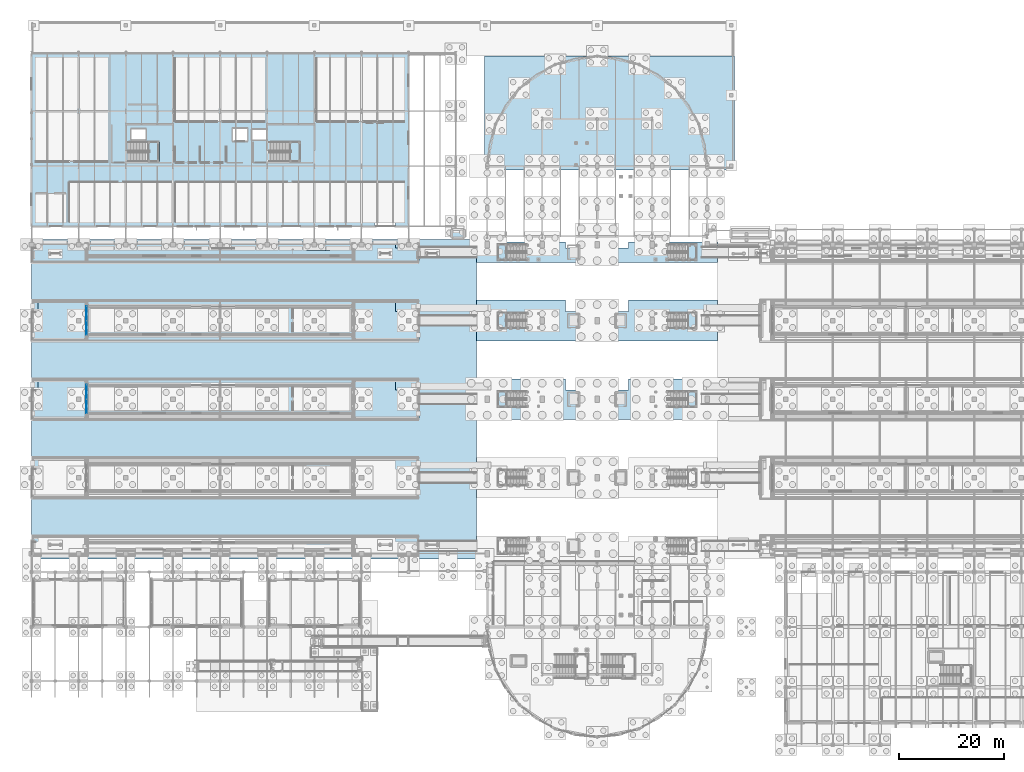
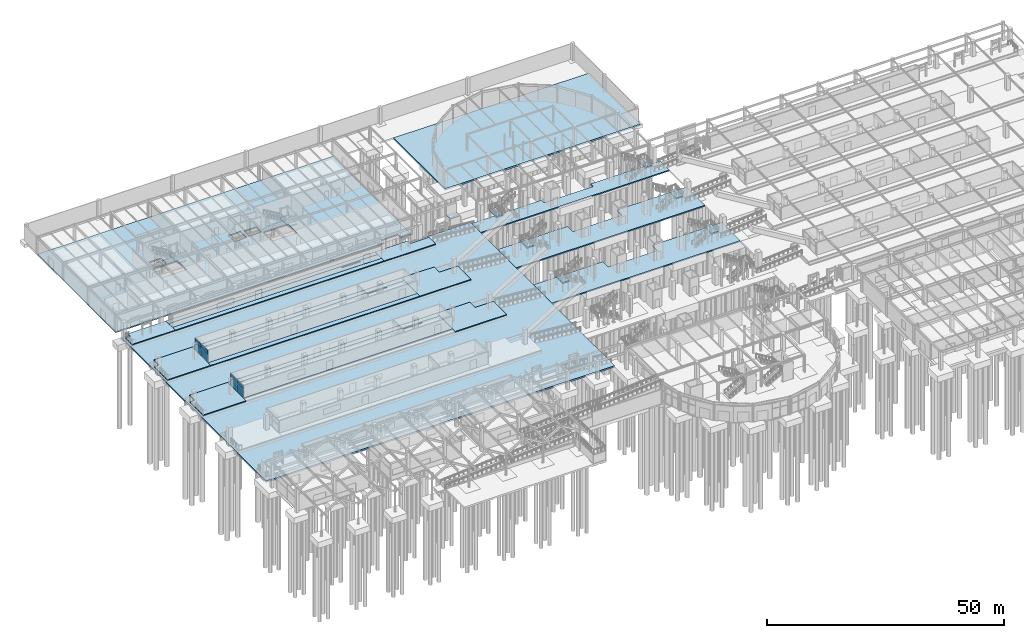
# One storey, part 93 of 160: 29 slabs, 8 plates, 10 elements without a shape of their own.
"""IFC4 building model written with IfcOpenShell, lengths in metres."""

from ifc_helpers import new_model, si_unit, direction, frame, origin, origin_2d, place, context, subcontext, project, spatial, polyline, rectangle, outline, extrude, material, layer, layer_set, type_object, element, aggregate, save


model = new_model("IFC4")

# Units and contexts
model_context = context("Model", 3, precision=1e-05, world=origin(), true_north=direction((0.0, 1.0)))
body_context = subcontext(model_context, "Body", "Model", "MODEL_VIEW")
ifc_project = project(units=[si_unit("LENGTHUNIT", "METRE"), si_unit("AREAUNIT", "SQUARE_METRE"), si_unit("VOLUMEUNIT", "CUBIC_METRE"), si_unit("PLANEANGLEUNIT", "RADIAN"), si_unit("MASSUNIT", "GRAM", prefix="KILO")], contexts=[model_context])

# Site, building, storey
site_placement = place(None, origin())
site = spatial("IfcSite", under=ifc_project, at=site_placement, CompositionType="ELEMENT")
building_placement = place(site_placement, origin())
building = spatial("IfcBuilding", under=site, at=building_placement, Name="Marlcrest Central Station", CompositionType="ELEMENT")
storey_placement = place(building_placement, origin())
storey = spatial("IfcBuildingStorey", under=building, at=storey_placement, Name="L00", CompositionType="ELEMENT", Elevation=0.0)

# Slabs
ifc_material_1 = material(Name="Concrete C35/45", Category="concrete")
ifc_layer_1 = layer(ifc_material_1, 0.39990234375, Name="BS-02")
ifc_layer_set_1 = layer_set([ifc_layer_1], Name="Concrete C35/45")
slab_type_1 = type_object("IfcSlabType", Name="BS-02", PredefinedType="BASESLAB", material=ifc_layer_set_1)
slab_1_placement = place(storey_placement, frame((0.0, 0.0, -0.39990234375)))
element("IfcSlab", 1, at=slab_1_placement, inside=storey, type_object=slab_type_1, Name="slab-L00-0021", PredefinedType="BASESLAB", context=body_context, shape_type="SweptSolid", body=[
    extrude(outline(polyline([(0.0, 35.5), (85.0, 35.5), (85.0, 96.5), (0.0, 96.5), (0.0, 35.5)])), origin(), (0.0, 0.0, 1.0), 0.39990234375),
])
slab_2_placement = place(storey_placement, frame((0.0, 0.0, -0.39990234375)))
element("IfcSlab", 2, at=slab_2_placement, inside=storey, type_object=slab_type_1, Name="slab-L00-0026", PredefinedType="BASESLAB", context=body_context, shape_type="SweptSolid", body=[
    extrude(outline(polyline([(134.199951171875, 109.800048828125), (86.5, 109.800048828125), (86.5, 131.5), (134.199951171875, 131.5), (134.199951171875, 109.800048828125)])), origin(), (0.0, 0.0, 1.0), 0.39990234375),
])
ifc_layer_2 = layer(ifc_material_1, 0.300048828125, Name="BS-03")
ifc_layer_set_2 = layer_set([ifc_layer_2], Name="Concrete C35/45")
slab_type_2 = type_object("IfcSlabType", Name="BS-03", PredefinedType="BASESLAB", material=ifc_layer_set_2)
slab_3_placement = place(storey_placement, frame((0.0, 0.0, -0.300048828125)))
element("IfcSlab", 3, at=slab_3_placement, inside=storey, type_object=slab_type_2, Name="slab-L00-0002", PredefinedType="BASESLAB", context=body_context, shape_type="SweptSolid", body=[
    extrude(outline(polyline([(0.0, 99.0), (65.5, 99.0), (65.5, 100.199951171875), (69.5, 100.199951171875), (69.5, 99.0), (72.0, 99.0), (72.0, 132.0), (0.0, 132.0), (0.0, 99.0)]), holes=[polyline([(18.449951171875, 111.39990234375), (24.39990234375, 111.39990234375), (24.39990234375, 115.10009765625), (18.449951171875, 115.10009765625), (18.449951171875, 111.39990234375)]), polyline([(18.919921875, 115.52001953125), (21.8798828125, 115.52001953125), (21.8798828125, 117.679931640625), (18.919921875, 117.679931640625), (18.919921875, 115.52001953125)]), polyline([(45.449951171875, 111.39990234375), (51.39990234375, 111.39990234375), (51.39990234375, 115.10009765625), (45.449951171875, 115.10009765625), (45.449951171875, 111.39990234375)]), polyline([(42.02001953125, 115.419921875), (44.97998046875, 115.419921875), (44.97998046875, 117.580078125), (42.02001953125, 117.580078125), (42.02001953125, 115.419921875)]), polyline([(38.320068359375, 115.219970703125), (41.280029296875, 115.219970703125), (41.280029296875, 117.780029296875), (38.320068359375, 117.780029296875), (38.320068359375, 115.219970703125)])]), origin(), (0.0, 0.0, 1.0), 0.300048828125),
])
slab_4_placement = place(storey_placement, frame((0.0, 0.0, -0.300048828125)))
element("IfcSlab", 4, at=slab_4_placement, inside=storey, type_object=slab_type_2, Name="slab-L00-0051", PredefinedType="BASESLAB", context=body_context, shape_type="SweptSolid", body=[
    extrude(outline(polyline([(85.0, 62.10009765625), (85.0, 69.89990234375), (102.0, 69.89990234375), (102.0, 67.716064453125), (114.0, 67.716064453125), (114.0, 69.89990234375), (131.0, 69.89990234375), (131.0, 62.10009765625), (85.0, 62.10009765625)])), origin(), (0.0, 0.0, 1.0), 0.300048828125),
])
slab_5_placement = place(storey_placement, frame((0.0, 0.0, -0.300048828125)))
element("IfcSlab", 5, at=slab_5_placement, inside=storey, type_object=slab_type_2, Name="slab-L00-0062", PredefinedType="BASESLAB", context=body_context, shape_type="SweptSolid", body=[
    extrude(outline(polyline([(85.0, 77.10009765625), (85.0, 84.89990234375), (102.0, 84.89990234375), (102.0, 82.716064453125), (114.0, 82.716064453125), (114.0, 84.89990234375), (131.0, 84.89990234375), (131.0, 77.10009765625), (85.0, 77.10009765625)])), origin(), (0.0, 0.0, 1.0), 0.300048828125),
])
slab_6_placement = place(storey_placement, frame((0.0, 0.0, -0.300048828125)))
element("IfcSlab", 6, at=slab_6_placement, inside=storey, type_object=slab_type_2, Name="slab-L00-0073", PredefinedType="BASESLAB", context=body_context, shape_type="SweptSolid", body=[
    extrude(outline(polyline([(85.0, 92.10009765625), (85.0, 96.0), (102.0, 96.0), (102.0, 94.907958984375), (114.0, 94.907958984375), (114.0, 96.0), (131.0, 96.0), (131.0, 92.10009765625), (85.0, 92.10009765625)])), origin(), (0.0, 0.0, 1.0), 0.300048828125),
])

# Curtain wall, plates
ifc_material_2 = material(Name="Anodised aluminium and hurricane laminated glass", Category="aluminium")
ifc_layer_3 = layer(ifc_material_2, 0.179931640625, Name="CW-S1")
ifc_layer_set_3 = layer_set([ifc_layer_3], Name="Anodised aluminium and hurricane laminated glass")
curtain_wall_type = type_object("IfcCurtainWallType", Name="CW-S1", PredefinedType="USERDEFINED", material=ifc_layer_set_3)
curtain_wall_1_placement = place(storey_placement, origin())
curtain_wall_1 = element("IfcCurtainWall", 7, at=curtain_wall_1_placement, inside=storey, type_object=curtain_wall_type, Name="cw-L00-0175", ObjectType="STICK_CURTAIN_WALL", PredefinedType="USERDEFINED")
ifc_material_3 = material(Name="Hurricane laminated solar-control glass", Category="glass")
ifc_layer_4 = layer(ifc_material_3, 0.031982421875, Name="CP-01")
ifc_layer_set_4 = layer_set([ifc_layer_4], Name="Hurricane laminated solar-control glass")
plate_type_1 = type_object("IfcPlateType", Name="CP-01", PredefinedType="CURTAIN_PANEL", material=ifc_layer_set_4)
plate_1_placement = place(storey_placement, frame((10.5, 64.625, 0.9951171875), z_axis=(0.0, 0.0, 1.0), x_axis=(0.0, 1.0, 0.0)))
plate_1 = element("IfcPlate", 8, at=plate_1_placement, type_object=plate_type_1, Name="cw-L00-0175-cp-lo-0", PredefinedType="CURTAIN_PANEL", context=body_context, shape_type="SweptSolid", body=[
    extrude(rectangle(XDim=2.68408203125, YDim=0.031982421875, at=origin_2d()), origin(), (0.0, 0.0, 1.0), 1.949951171875),
])
plate_2_placement = place(storey_placement, frame((10.5, 67.375, 0.9951171875), z_axis=(0.0, 0.0, 1.0), x_axis=(0.0, 1.0, 0.0)))
plate_2 = element("IfcPlate", 9, at=plate_2_placement, type_object=plate_type_1, Name="cw-L00-0175-cp-lo-1", PredefinedType="CURTAIN_PANEL", context=body_context, shape_type="SweptSolid", body=[
    extrude(rectangle(XDim=2.68408203125, YDim=0.031982421875, at=origin_2d()), origin(), (0.0, 0.0, 1.0), 1.949951171875),
])

curtain_wall_2_placement = place(storey_placement, origin())
curtain_wall_2 = element("IfcCurtainWall", 10, at=curtain_wall_2_placement, inside=storey, type_object=curtain_wall_type, Name="cw-L00-0177", ObjectType="STICK_CURTAIN_WALL", PredefinedType="USERDEFINED")
plate_3_placement = place(storey_placement, frame((10.5, 79.625, 0.9951171875), z_axis=(0.0, 0.0, 1.0), x_axis=(0.0, 1.0, 0.0)))
plate_3 = element("IfcPlate", 11, at=plate_3_placement, type_object=plate_type_1, Name="cw-L00-0177-cp-lo-0", PredefinedType="CURTAIN_PANEL", context=body_context, shape_type="SweptSolid", body=[
    extrude(rectangle(XDim=2.68408203125, YDim=0.031982421875, at=origin_2d()), origin(), (0.0, 0.0, 1.0), 1.949951171875),
])
plate_4_placement = place(storey_placement, frame((10.5, 82.375, 0.9951171875), z_axis=(0.0, 0.0, 1.0), x_axis=(0.0, 1.0, 0.0)))
plate_4 = element("IfcPlate", 12, at=plate_4_placement, type_object=plate_type_1, Name="cw-L00-0177-cp-lo-1", PredefinedType="CURTAIN_PANEL", context=body_context, shape_type="SweptSolid", body=[
    extrude(rectangle(XDim=2.68408203125, YDim=0.031982421875, at=origin_2d()), origin(), (0.0, 0.0, 1.0), 1.949951171875),
])

# Plate
ifc_material_4 = material(Name="Insulated bronze-anodised aluminium spandrel panel", Category="aluminium")
ifc_layer_5 = layer(ifc_material_4, 0.050048828125, Name="CP-05")
ifc_layer_set_5 = layer_set([ifc_layer_5], Name="Insulated bronze-anodised aluminium spandrel panel")
plate_type_2 = type_object("IfcPlateType", Name="CP-05", PredefinedType="CURTAIN_PANEL", material=ifc_layer_set_5)
plate_5_placement = place(storey_placement, frame((10.5, 64.625, 3.02490234375), z_axis=(0.0, 0.0, 1.0), x_axis=(0.0, 1.0, 0.0)))
plate_5 = element("IfcPlate", 13, at=plate_5_placement, type_object=plate_type_2, Name="cw-L00-0175-cp-hi-0", PredefinedType="CURTAIN_PANEL", context=body_context, shape_type="SweptSolid", body=[
    extrude(rectangle(XDim=2.68408203125, YDim=0.050048828125, at=origin_2d()), origin(), (0.0, 0.0, 1.0), 0.9951171875),
])

plate_6_placement = place(storey_placement, frame((10.5, 67.375, 3.02490234375), z_axis=(0.0, 0.0, 1.0), x_axis=(0.0, 1.0, 0.0)))
plate_6 = element("IfcPlate", 14, at=plate_6_placement, type_object=plate_type_2, Name="cw-L00-0175-cp-hi-1", PredefinedType="CURTAIN_PANEL", context=body_context, shape_type="SweptSolid", body=[
    extrude(rectangle(XDim=2.68408203125, YDim=0.050048828125, at=origin_2d()), origin(), (0.0, 0.0, 1.0), 0.9951171875),
])

aggregate(curtain_wall_1, [plate_1, plate_5, plate_2, plate_6])

ifc_material_5 = material(Name="Insulated hurricane-rated spandrel panel")
ifc_layer_6 = layer(ifc_material_5, 0.090087890625, Name="CP-07")
ifc_layer_set_6 = layer_set([ifc_layer_6], Name="Insulated hurricane-rated spandrel panel")
plate_type_3 = type_object("IfcPlateType", Name="CP-07", PredefinedType="CURTAIN_PANEL", material=ifc_layer_set_6)
plate_7_placement = place(storey_placement, frame((10.5, 79.625, 3.02490234375), z_axis=(0.0, 0.0, 1.0), x_axis=(0.0, 1.0, 0.0)))
plate_7 = element("IfcPlate", 15, at=plate_7_placement, type_object=plate_type_3, Name="cw-L00-0177-cp-hi-0", PredefinedType="CURTAIN_PANEL", context=body_context, shape_type="SweptSolid", body=[
    extrude(rectangle(XDim=2.68408203125, YDim=0.090087890625, at=origin_2d()), origin(), (0.0, 0.0, 1.0), 0.9951171875),
])

plate_8_placement = place(storey_placement, frame((10.5, 82.375, 3.02490234375), z_axis=(0.0, 0.0, 1.0), x_axis=(0.0, 1.0, 0.0)))
plate_8 = element("IfcPlate", 16, at=plate_8_placement, type_object=plate_type_3, Name="cw-L00-0177-cp-hi-1", PredefinedType="CURTAIN_PANEL", context=body_context, shape_type="SweptSolid", body=[
    extrude(rectangle(XDim=2.68408203125, YDim=0.090087890625, at=origin_2d()), origin(), (0.0, 0.0, 1.0), 0.9951171875),
])

aggregate(curtain_wall_2, [plate_3, plate_7, plate_4, plate_8])

# Stair, slab
stair_type_1 = type_object("IfcStairType", Name="ST-HTP", PredefinedType="HALF_TURN_STAIR", material=ifc_material_1)
stair_1_placement = place(storey_placement, origin())
stair_1 = element("IfcStair", 17, at=stair_1_placement, inside=storey, type_object=stair_type_1, Name="ST-P3W", PredefinedType="HALF_TURN_STAIR")
ifc_layer_7 = layer(ifc_material_1, 0.320068359375, Name="LS-01")
ifc_layer_set_7 = layer_set([ifc_layer_7], Name="Concrete C35/45")
slab_type_3 = type_object("IfcSlabType", Name="LS-01", PredefinedType="LANDING", material=ifc_layer_set_7)
slab_7_placement = place(storey_placement, frame((0.0, 0.0, 2.080078125)))
slab_7 = element("IfcSlab", 18, at=slab_7_placement, type_object=slab_type_3, Name="ST-P3W-L1", PredefinedType="LANDING", context=body_context, shape_type="SweptSolid", body=[
    extrude(outline(polyline([(88.989990234375, 64.469970703125), (90.669921875, 64.469970703125), (90.669921875, 67.530029296875), (88.989990234375, 67.530029296875), (88.989990234375, 64.469970703125)])), origin(), (0.0, 0.0, 1.0), 0.31982421875),
])
aggregate(stair_1, [slab_7])

stair_2_placement = place(storey_placement, origin())
stair_2 = element("IfcStair", 19, at=stair_2_placement, inside=storey, type_object=stair_type_1, Name="ST-P3E", PredefinedType="HALF_TURN_STAIR")
slab_8_placement = place(storey_placement, frame((0.0, 0.0, 2.080078125)))
slab_8 = element("IfcSlab", 20, at=slab_8_placement, type_object=slab_type_3, Name="ST-P3E-L1", PredefinedType="LANDING", context=body_context, shape_type="SweptSolid", body=[
    extrude(outline(polyline([(125.330078125, 64.469970703125), (127.010009765625, 64.469970703125), (127.010009765625, 67.530029296875), (125.330078125, 67.530029296875), (125.330078125, 64.469970703125)])), origin(), (0.0, 0.0, 1.0), 0.31982421875),
])
aggregate(stair_2, [slab_8])

stair_3_placement = place(storey_placement, origin())
stair_3 = element("IfcStair", 21, at=stair_3_placement, inside=storey, type_object=stair_type_1, Name="ST-P4W", PredefinedType="HALF_TURN_STAIR")
slab_9_placement = place(storey_placement, frame((0.0, 0.0, 2.080078125)))
slab_9 = element("IfcSlab", 22, at=slab_9_placement, type_object=slab_type_3, Name="ST-P4W-L1", PredefinedType="LANDING", context=body_context, shape_type="SweptSolid", body=[
    extrude(outline(polyline([(88.989990234375, 79.469970703125), (90.669921875, 79.469970703125), (90.669921875, 82.530029296875), (88.989990234375, 82.530029296875), (88.989990234375, 79.469970703125)])), origin(), (0.0, 0.0, 1.0), 0.31982421875),
])
aggregate(stair_3, [slab_9])

stair_4_placement = place(storey_placement, origin())
stair_4 = element("IfcStair", 23, at=stair_4_placement, inside=storey, type_object=stair_type_1, Name="ST-P4E", PredefinedType="HALF_TURN_STAIR")
slab_10_placement = place(storey_placement, frame((0.0, 0.0, 2.080078125)))
slab_10 = element("IfcSlab", 24, at=slab_10_placement, type_object=slab_type_3, Name="ST-P4E-L1", PredefinedType="LANDING", context=body_context, shape_type="SweptSolid", body=[
    extrude(outline(polyline([(125.330078125, 79.469970703125), (127.010009765625, 79.469970703125), (127.010009765625, 82.530029296875), (125.330078125, 82.530029296875), (125.330078125, 79.469970703125)])), origin(), (0.0, 0.0, 1.0), 0.31982421875),
])
aggregate(stair_4, [slab_10])

stair_5_placement = place(storey_placement, origin())
stair_5 = element("IfcStair", 25, at=stair_5_placement, inside=storey, type_object=stair_type_1, Name="ST-P5W", PredefinedType="HALF_TURN_STAIR")
slab_11_placement = place(storey_placement, frame((0.0, 0.0, 2.080078125)))
slab_11 = element("IfcSlab", 26, at=slab_11_placement, type_object=slab_type_3, Name="ST-P5W-L1", PredefinedType="LANDING", context=body_context, shape_type="SweptSolid", body=[
    extrude(outline(polyline([(88.989990234375, 92.52001953125), (90.669921875, 92.52001953125), (90.669921875, 95.580078125), (88.989990234375, 95.580078125), (88.989990234375, 92.52001953125)])), origin(), (0.0, 0.0, 1.0), 0.31982421875),
])
aggregate(stair_5, [slab_11])

stair_6_placement = place(storey_placement, origin())
stair_6 = element("IfcStair", 27, at=stair_6_placement, inside=storey, type_object=stair_type_1, Name="ST-P5E", PredefinedType="HALF_TURN_STAIR")
slab_12_placement = place(storey_placement, frame((0.0, 0.0, 2.080078125)))
slab_12 = element("IfcSlab", 28, at=slab_12_placement, type_object=slab_type_3, Name="ST-P5E-L1", PredefinedType="LANDING", context=body_context, shape_type="SweptSolid", body=[
    extrude(outline(polyline([(125.330078125, 92.52001953125), (127.010009765625, 92.52001953125), (127.010009765625, 95.580078125), (125.330078125, 95.580078125), (125.330078125, 92.52001953125)])), origin(), (0.0, 0.0, 1.0), 0.31982421875),
])
aggregate(stair_6, [slab_12])

stair_type_2 = type_object("IfcStairType", Name="ST-HTS", PredefinedType="HALF_TURN_STAIR", material=ifc_material_1)
stair_7_placement = place(storey_placement, origin())
stair_7 = element("IfcStair", 29, at=stair_7_placement, inside=storey, type_object=stair_type_2, Name="ST-W10", PredefinedType="HALF_TURN_STAIR")
slab_13_placement = place(storey_placement, frame((0.0, 0.0, 2.080078125)))
slab_13 = element("IfcSlab", 30, at=slab_13_placement, type_object=slab_type_3, Name="ST-W10-L1", PredefinedType="LANDING", context=body_context, shape_type="SweptSolid", body=[
    extrude(outline(polyline([(22.280029296875, 111.3701171875), (24.280029296875, 111.3701171875), (24.280029296875, 115.1298828125), (22.280029296875, 115.1298828125), (22.280029296875, 113.31005859375), (22.530029296875, 113.31005859375), (22.530029296875, 113.18994140625), (22.280029296875, 113.18994140625), (22.280029296875, 111.3701171875)])), origin(), (0.0, 0.0, 1.0), 0.31982421875),
])
aggregate(stair_7, [slab_13])

stair_8_placement = place(storey_placement, origin())
stair_8 = element("IfcStair", 31, at=stair_8_placement, inside=storey, type_object=stair_type_2, Name="ST-W20", PredefinedType="HALF_TURN_STAIR")
slab_14_placement = place(storey_placement, frame((0.0, 0.0, 2.080078125)))
slab_14 = element("IfcSlab", 32, at=slab_14_placement, type_object=slab_type_3, Name="ST-W20-L1", PredefinedType="LANDING", context=body_context, shape_type="SweptSolid", body=[
    extrude(outline(polyline([(49.280029296875, 111.3701171875), (51.280029296875, 111.3701171875), (51.280029296875, 115.1298828125), (49.280029296875, 115.1298828125), (49.280029296875, 113.31005859375), (49.530029296875, 113.31005859375), (49.530029296875, 113.18994140625), (49.280029296875, 113.18994140625), (49.280029296875, 111.3701171875)])), origin(), (0.0, 0.0, 1.0), 0.31982421875),
])
aggregate(stair_8, [slab_14])

# Slabs
ifc_layer_8 = layer(ifc_material_1, 0.25, Name="PS-01")
ifc_layer_set_8 = layer_set([ifc_layer_8], Name="Concrete C35/45")
slab_type_4 = type_object("IfcSlabType", Name="PS-01", PredefinedType="FLOOR", material=ifc_layer_set_8)
slab_15_placement = place(storey_placement, frame((0.0, 0.0, 0.6650390625)))
element("IfcSlab", 33, at=slab_15_placement, inside=storey, type_object=slab_type_4, Name="slab-L00-0052", PredefinedType="FLOOR", context=body_context, shape_type="SweptSolid", body=[
    extrude(outline(polyline([(0.0, 62.10009765625), (10.5, 62.10009765625), (10.5, 69.89990234375), (1.199951171875, 69.89990234375), (1.199951171875, 67.716064453125), (0.0, 67.716064453125), (0.0, 62.10009765625)])), origin(), (0.0, 0.0, 1.0), 0.25),
])
slab_16_placement = place(storey_placement, frame((0.0, 0.0, 0.6650390625)))
element("IfcSlab", 34, at=slab_16_placement, inside=storey, type_object=slab_type_4, Name="slab-L00-0054", PredefinedType="FLOOR", context=body_context, shape_type="SweptSolid", body=[
    extrude(outline(polyline([(61.5, 69.89990234375), (61.5, 68.75), (10.5, 68.75), (10.5, 69.89990234375), (61.5, 69.89990234375)])), origin(), (0.0, 0.0, 1.0), 0.25),
])
slab_17_placement = place(storey_placement, frame((0.0, 0.0, 0.6650390625)))
element("IfcSlab", 35, at=slab_17_placement, inside=storey, type_object=slab_type_4, Name="slab-L00-0056", PredefinedType="FLOOR", context=body_context, shape_type="SweptSolid", body=[
    extrude(outline(polyline([(69.5, 69.89990234375), (69.5, 67.716064453125), (74.0, 67.716064453125), (74.0, 62.10009765625), (61.5, 62.10009765625), (61.5, 69.89990234375), (69.5, 69.89990234375)])), origin(), (0.0, 0.0, 1.0), 0.25),
])
slab_18_placement = place(storey_placement, frame((0.0, 0.0, 0.6650390625)))
element("IfcSlab", 36, at=slab_18_placement, inside=storey, type_object=slab_type_4, Name="slab-L00-0063", PredefinedType="FLOOR", context=body_context, shape_type="SweptSolid", body=[
    extrude(outline(polyline([(0.0, 77.10009765625), (10.5, 77.10009765625), (10.5, 84.89990234375), (1.199951171875, 84.89990234375), (1.199951171875, 82.716064453125), (0.0, 82.716064453125), (0.0, 77.10009765625)])), origin(), (0.0, 0.0, 1.0), 0.25),
])
slab_19_placement = place(storey_placement, frame((0.0, 0.0, 0.6650390625)))
element("IfcSlab", 37, at=slab_19_placement, inside=storey, type_object=slab_type_4, Name="slab-L00-0064", PredefinedType="FLOOR", context=body_context, shape_type="SweptSolid", body=[
    extrude(outline(polyline([(61.5, 78.25), (61.5, 77.10009765625), (10.5, 77.10009765625), (10.5, 78.25), (61.5, 78.25)])), origin(), (0.0, 0.0, 1.0), 0.25),
])
slab_20_placement = place(storey_placement, frame((0.0, 0.0, 0.6650390625)))
element("IfcSlab", 38, at=slab_20_placement, inside=storey, type_object=slab_type_4, Name="slab-L00-0065", PredefinedType="FLOOR", context=body_context, shape_type="SweptSolid", body=[
    extrude(outline(polyline([(61.5, 84.89990234375), (61.5, 83.75), (10.5, 83.75), (10.5, 84.89990234375), (61.5, 84.89990234375)])), origin(), (0.0, 0.0, 1.0), 0.25),
])
slab_21_placement = place(storey_placement, frame((0.0, 0.0, 0.6650390625)))
element("IfcSlab", 39, at=slab_21_placement, inside=storey, type_object=slab_type_4, Name="slab-L00-0067", PredefinedType="FLOOR", context=body_context, shape_type="SweptSolid", body=[
    extrude(outline(polyline([(69.5, 84.89990234375), (69.5, 82.716064453125), (74.0, 82.716064453125), (74.0, 77.10009765625), (61.5, 77.10009765625), (61.5, 84.89990234375), (69.5, 84.89990234375)])), origin(), (0.0, 0.0, 1.0), 0.25),
])
slab_22_placement = place(storey_placement, frame((0.0, 0.0, 0.6650390625)))
element("IfcSlab", 40, at=slab_22_placement, inside=storey, type_object=slab_type_4, Name="slab-L00-0074", PredefinedType="FLOOR", context=body_context, shape_type="SweptSolid", body=[
    extrude(outline(polyline([(0.0, 92.10009765625), (10.5, 92.10009765625), (10.5, 96.0), (1.199951171875, 96.0), (1.199951171875, 94.907958984375), (0.0, 94.907958984375), (0.0, 92.10009765625)])), origin(), (0.0, 0.0, 1.0), 0.25),
])
slab_23_placement = place(storey_placement, frame((0.0, 0.0, 0.6650390625)))
element("IfcSlab", 41, at=slab_23_placement, inside=storey, type_object=slab_type_4, Name="slab-L00-0075", PredefinedType="FLOOR", context=body_context, shape_type="SweptSolid", body=[
    extrude(outline(polyline([(61.5, 93.25), (61.5, 92.10009765625), (10.5, 92.10009765625), (10.5, 93.25), (61.5, 93.25)])), origin(), (0.0, 0.0, 1.0), 0.25),
])
slab_24_placement = place(storey_placement, frame((0.0, 0.0, 0.6650390625)))
element("IfcSlab", 42, at=slab_24_placement, inside=storey, type_object=slab_type_4, Name="slab-L00-0076", PredefinedType="FLOOR", context=body_context, shape_type="SweptSolid", body=[
    extrude(outline(polyline([(61.5, 96.0), (61.5, 94.85009765625), (10.5, 94.85009765625), (10.5, 96.0), (61.5, 96.0)])), origin(), (0.0, 0.0, 1.0), 0.25),
])
slab_25_placement = place(storey_placement, frame((0.0, 0.0, 0.6650390625)))
element("IfcSlab", 43, at=slab_25_placement, inside=storey, type_object=slab_type_4, Name="slab-L00-0078", PredefinedType="FLOOR", context=body_context, shape_type="SweptSolid", body=[
    extrude(outline(polyline([(69.5, 96.0), (69.5, 94.907958984375), (74.0, 94.907958984375), (74.0, 92.10009765625), (61.5, 92.10009765625), (61.5, 96.0), (69.5, 96.0)])), origin(), (0.0, 0.0, 1.0), 0.25),
])
ifc_layer_9 = layer(ifc_material_1, 0.239990234375, Name="PS-02")
ifc_layer_set_9 = layer_set([ifc_layer_9], Name="Concrete C35/45")
slab_type_5 = type_object("IfcSlabType", Name="PS-02", PredefinedType="FLOOR", material=ifc_layer_set_9)
slab_26_placement = place(storey_placement, frame((0.0, 0.0, 0.675048828125)))
element("IfcSlab", 44, at=slab_26_placement, inside=storey, type_object=slab_type_5, Name="slab-L00-0055", PredefinedType="FLOOR", context=body_context, shape_type="SweptSolid", body=[
    extrude(outline(polyline([(10.5, 63.25), (10.5, 68.75), (52.5, 68.75), (52.5, 68.25), (57.0, 68.25), (57.0, 68.75), (61.5, 68.75), (61.5, 63.25), (10.5, 63.25)])), origin(), (0.0, 0.0, 1.0), 0.239990234375),
])
slab_27_placement = place(storey_placement, frame((0.0, 0.0, 0.675048828125)))
element("IfcSlab", 45, at=slab_27_placement, inside=storey, type_object=slab_type_5, Name="slab-L00-0066", PredefinedType="FLOOR", context=body_context, shape_type="SweptSolid", body=[
    extrude(outline(polyline([(10.5, 78.25), (10.5, 83.75), (52.5, 83.75), (52.5, 83.25), (57.0, 83.25), (57.0, 83.75), (61.5, 83.75), (61.5, 78.25), (10.5, 78.25)])), origin(), (0.0, 0.0, 1.0), 0.239990234375),
])
slab_28_placement = place(storey_placement, frame((0.0, 0.0, 0.675048828125)))
element("IfcSlab", 46, at=slab_28_placement, inside=storey, type_object=slab_type_5, Name="slab-L00-0077", PredefinedType="FLOOR", context=body_context, shape_type="SweptSolid", body=[
    extrude(outline(polyline([(10.5, 93.25), (10.5, 94.85009765625), (52.5, 94.85009765625), (52.5, 94.35009765625), (57.0, 94.35009765625), (57.0, 94.85009765625), (61.5, 94.85009765625), (61.5, 93.25), (10.5, 93.25)])), origin(), (0.0, 0.0, 1.0), 0.239990234375),
])
ifc_material_6 = material(Name="Concrete C40/50", Category="concrete")
ifc_layer_10 = layer(ifc_material_6, 0.219970703125, Name="RS-01")
ifc_layer_set_10 = layer_set([ifc_layer_10], Name="Concrete C40/50")
slab_type_6 = type_object("IfcSlabType", Name="RS-01", PredefinedType="ROOF", material=ifc_layer_set_10)
slab_29_placement = place(storey_placement, frame((0.0, 0.0, 2.179931640625)))
element("IfcSlab", 47, at=slab_29_placement, inside=storey, type_object=slab_type_6, Name="slab-L00-0012", PredefinedType="ROOF", context=body_context, shape_type="SweptSolid", body=[
    extrude(outline(polyline([(80.199951171875, 96.800048828125), (82.60009765625, 96.800048828125), (82.60009765625, 98.39990234375), (80.199951171875, 98.39990234375), (80.199951171875, 96.800048828125)])), origin(), (0.0, 0.0, 1.0), 0.219970703125),
])

save(model, "model.ifc")
